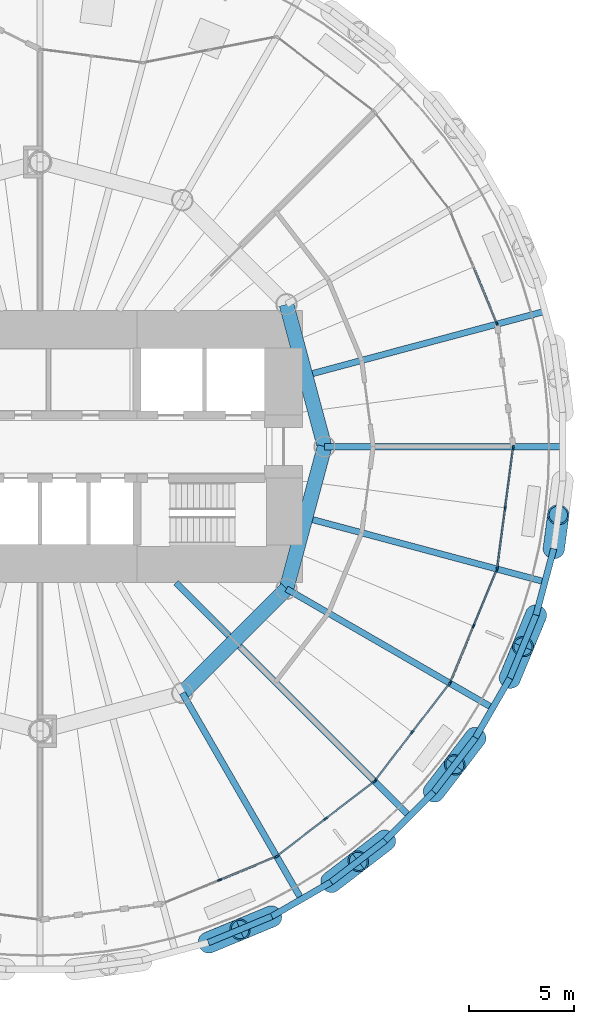
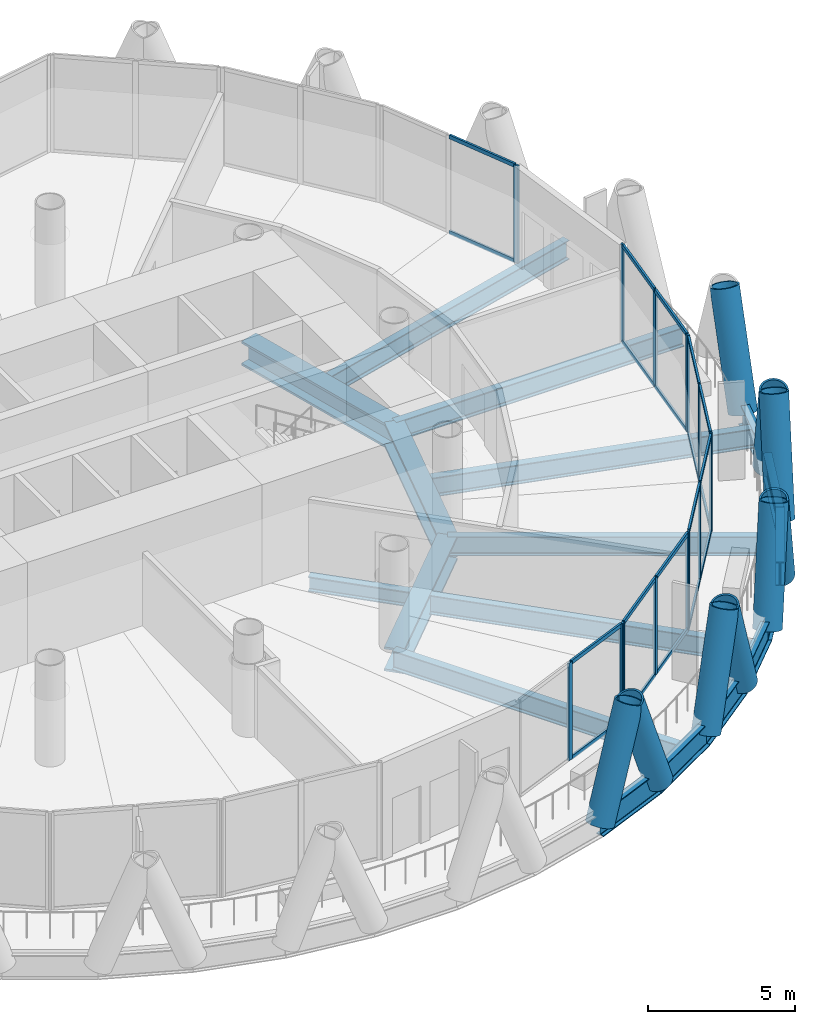
# One storey, part 4 of 15: 44 members, 18 beams, 6 elements without a shape of their own.
"""IFC4 building model written with IfcOpenShell, lengths in metres."""

import ifcopenshell
import ifcopenshell.guid

model = None  # the IFC model being written
_history = None  # IfcOwnerHistory: only IFC2X3 demands one
_inside = {}  # id of a spatial element -> (the spatial element, [elements in it])
_under = {}  # id of a project, library or spatial element -> (it, [spatial elements below it])
_declared = {}  # id of a project -> (the project, [libraries it declares])
_typed = {}  # id of a type object -> (the type object, [elements of that type])
_made_of = {}  # id of a material, layer set ... -> (it, [elements and type objects made of it])


def new_model(schema):
    """Start an empty IFC model of exactly this schema.

    Asked for "IFC4X3", IfcOpenShell would pick the latest addendum, in which some entities
    have other attributes; the version numbers below select the first issue.
    IFC2X3 requires an IfcOwnerHistory on every rooted entity: one is made here for all.
    """
    global model, _history
    if schema == "IFC4X3":
        model = ifcopenshell.file(schema_version=(4, 3, 0, 0))
    else:
        model = ifcopenshell.file(schema=schema)
    _inside.clear()
    _under.clear()
    _declared.clear()
    _typed.clear()
    _made_of.clear()
    _history = None
    if model.schema == "IFC2X3":
        org = make("IfcOrganization", Name="unknown")
        user = make(
            "IfcPersonAndOrganization",
            ThePerson=make("IfcPerson", FamilyName="unknown"),
            TheOrganization=org,
        )
        app = make(
            "IfcApplication",
            ApplicationDeveloper=org,
            Version="unknown",
            ApplicationFullName="unknown",
            ApplicationIdentifier="unknown",
        )
        _history = make(
            "IfcOwnerHistory",
            OwningUser=user,
            OwningApplication=app,
            ChangeAction="ADDED",
            CreationDate=0,
        )
    return model


def make(cls, **values):
    """One entity of the class cls with the attributes given. An attribute that is None is left unset."""
    return model.create_entity(
        cls, **{name: value for name, value in values.items() if value is not None}
    )


def rooted(cls, **values):
    """An entity with a GlobalId (a new one), such as an element, a storey or a relation."""
    return make(cls, GlobalId=ifcopenshell.guid.new(), OwnerHistory=_history, **values)


def si_unit(unit_type, name, prefix=None):
    """IfcSIUnit, for example si_unit("LENGTHUNIT", "METRE", prefix="MILLI")."""
    return make("IfcSIUnit", UnitType=unit_type, Prefix=prefix, Name=name)


def assignment(units):
    """IfcUnitAssignment: the units of a project."""
    return None if units is None else make("IfcUnitAssignment", Units=units)


def point(xyz):
    """IfcCartesianPoint."""
    return None if xyz is None else make("IfcCartesianPoint", Coordinates=xyz)


def direction(xyz):
    """IfcDirection."""
    return None if xyz is None else make("IfcDirection", DirectionRatios=xyz)


def frame(location, z_axis=None, x_axis=None):
    """IfcAxis2Placement3D, a coordinate frame: its origin and axes. An axis left out is left unset."""
    return make(
        "IfcAxis2Placement3D",
        Location=point(location),
        Axis=direction(z_axis),
        RefDirection=direction(x_axis),
    )


def frame_2d(location, x_axis=None):
    """IfcAxis2Placement2D, a coordinate frame in the plane: its origin and x axis."""
    return make(
        "IfcAxis2Placement2D", Location=point(location), RefDirection=direction(x_axis)
    )


def origin():
    """The frame at (0, 0, 0) with its axes left unset."""
    return frame((0.0, 0.0, 0.0))


def origin_2d():
    """The frame at (0, 0) in the plane with its x axis left unset."""
    return frame_2d((0.0, 0.0))


def place(relative_to, where):
    """IfcLocalPlacement: puts the frame where relative to a parent placement (None: the world)."""
    return make(
        "IfcLocalPlacement", PlacementRelTo=relative_to, RelativePlacement=where
    )


def context(
    kind, dimensions, precision=None, world=None, true_north=None, identifier=None
):
    """IfcGeometricRepresentationContext, for example the 3D "Model" context."""
    return make(
        "IfcGeometricRepresentationContext",
        ContextIdentifier=identifier,
        ContextType=kind,
        CoordinateSpaceDimension=dimensions,
        Precision=precision,
        WorldCoordinateSystem=world,
        TrueNorth=true_north,
    )


def subcontext(parent, identifier, kind, view, scale=None):
    """IfcGeometricRepresentationSubContext, for example "Body" below "Model"."""
    return make(
        "IfcGeometricRepresentationSubContext",
        ContextIdentifier=identifier,
        ContextType=kind,
        ParentContext=parent,
        TargetScale=scale,
        TargetView=view,
    )


def project(units=None, contexts=None):
    """IfcProject with its units and contexts."""
    return rooted(
        "IfcProject",
        Name="project",
        RepresentationContexts=contexts,
        UnitsInContext=assignment(units),
    )


def spatial(cls, under=None, at=None, **own):
    """A site, building, storey or space (cls), placed at a placement, below another one or the project."""
    s = rooted(cls, ObjectPlacement=at, **own)
    if under is not None:
        _under.setdefault(under.id(), (under, []))[1].append(s)
    return s


def profile(cls, at=None, kind="AREA", **sizes):
    """A parametric profile (cls). Its sizes go by their IFC names, for example OverallWidth=200.0."""
    return make(cls, ProfileType=kind, Position=at, **sizes)


def rectangle(**sizes):
    """IfcRectangleProfileDef."""
    return profile("IfcRectangleProfileDef", **sizes)


def hollow_circle(**sizes):
    """IfcCircleHollowProfileDef."""
    return profile("IfcCircleHollowProfileDef", **sizes)


def i_section(**sizes):
    """IfcIShapeProfileDef."""
    return profile("IfcIShapeProfileDef", **sizes)


def extrude(swept, where, along, depth):
    """IfcExtrudedAreaSolid: the profile swept, set in the frame where, extruded along a direction by depth."""
    return make(
        "IfcExtrudedAreaSolid",
        SweptArea=swept,
        Position=where,
        ExtrudedDirection=direction(along),
        Depth=depth,
    )


def shape(context_of_items, identifier, shape_type, items):
    """IfcShapeRepresentation: the items that make up one representation, for example the "Body"."""
    return make(
        "IfcShapeRepresentation",
        ContextOfItems=context_of_items,
        RepresentationIdentifier=identifier,
        RepresentationType=shape_type,
        Items=items,
    )


def material(Name=None, Category=None):
    """IfcMaterial."""
    return make("IfcMaterial", Name=Name, Category=Category)


def material_profile(
    of_material, cross_section, Name=None, Category=None, Priority=None
):
    """IfcMaterialProfile: a cross section and its material."""
    return make(
        "IfcMaterialProfile",
        Name=Name,
        Material=of_material,
        Profile=cross_section,
        Priority=Priority,
        Category=Category,
    )


def profile_set(profiles, Name=None, composite=None):
    """IfcMaterialProfileSet."""
    return make(
        "IfcMaterialProfileSet",
        Name=Name,
        MaterialProfiles=profiles,
        CompositeProfile=composite,
    )


def made_of(thing, what):
    """Note that an element or type object is made of a material, layer set ...; save() writes the relation."""
    if what is not None:
        _made_of.setdefault(what.id(), (what, []))[1].append(thing)
    return thing


def type_object(cls, material=None, **own):
    """A type object (cls), such as IfcWallType, which elements share."""
    return made_of(rooted(cls, **own), material)


def element(
    cls,
    number,
    at=None,
    inside=None,
    cuts=None,
    type_object=None,
    material=None,
    context=None,
    identifier="Body",
    shape_type=None,
    held_by="IfcProductDefinitionShape",
    body=None,
    shapes=None,
    **own,
):
    """One element of the class cls, such as IfcWall. Its Tag is "e" and its number.

    at: its placement. inside: the storey or other place that contains it. cuts: it is an
    opening in that element (IfcRelVoidsElement). A single representation is given by context,
    identifier, shape_type and body (its items); several are given by shapes. held_by: the class
    of the entity that holds the representations. save() writes the other relations.
    """
    e = rooted(cls, Tag="e%d" % number, ObjectPlacement=at, **own)
    if body is not None:
        shapes = [shape(context, identifier, shape_type, body)]
    if shapes is not None:
        e.Representation = make(held_by, Representations=shapes)
    if inside is not None:
        _inside.setdefault(inside.id(), (inside, []))[1].append(e)
    if cuts is not None:
        rooted(
            "IfcRelVoidsElement", RelatingBuildingElement=cuts, RelatedOpeningElement=e
        )
    if type_object is not None:
        _typed.setdefault(type_object.id(), (type_object, []))[1].append(e)
    return made_of(e, material)


def aggregate(whole, parts):
    """IfcRelAggregates: a whole, such as a stair, and the parts it consists of."""
    return rooted("IfcRelAggregates", RelatingObject=whole, RelatedObjects=parts)


def save(model, path):
    """Write the relations noted so far, then the file.

    IfcRelAggregates (storeys below a building ...), IfcRelContainedInSpatialStructure (elements
    in a storey), IfcRelDefinesByType, IfcRelAssociatesMaterial and IfcRelDeclares: one each for
    every whole, place, type object, material and project.
    """
    for whole, parts in _under.values():
        aggregate(whole, parts)
    for where, things in _inside.values():
        rooted(
            "IfcRelContainedInSpatialStructure",
            RelatedElements=things,
            RelatingStructure=where,
        )
    for kind, things in _typed.values():
        rooted("IfcRelDefinesByType", RelatedObjects=things, RelatingType=kind)
    for what, things in _made_of.values():
        rooted("IfcRelAssociatesMaterial", RelatedObjects=things, RelatingMaterial=what)
    for by, libraries in _declared.values():
        rooted("IfcRelDeclares", RelatingContext=by, RelatedDefinitions=libraries)
    model.write(path)


model = new_model("IFC4")

# Units and contexts
model_context = context("Model", 3, precision=1e-05, world=origin(), true_north=direction((0.0, 1.0)))
body_context = subcontext(model_context, "Body", "Model", "MODEL_VIEW")
ifc_project = project(units=[si_unit("LENGTHUNIT", "METRE"), si_unit("AREAUNIT", "SQUARE_METRE"), si_unit("VOLUMEUNIT", "CUBIC_METRE"), si_unit("PLANEANGLEUNIT", "RADIAN"), si_unit("MASSUNIT", "GRAM", prefix="KILO")], contexts=[model_context])

# Site, building, storey
site_placement = place(None, origin())
site = spatial("IfcSite", under=ifc_project, at=site_placement, CompositionType="ELEMENT")
building_placement = place(site_placement, origin())
building = spatial("IfcBuilding", under=site, at=building_placement, Name="Qaws Media Tower", CompositionType="ELEMENT")
storey_placement = place(building_placement, frame((0.0, 0.0, 147.800048828125)))
storey = spatial("IfcBuildingStorey", under=building, at=storey_placement, Name="L33", CompositionType="ELEMENT", Elevation=147.800048828125)

# Curtain wall, member
ifc_material_1 = material(Name="Aluminium and clear glass", Category="aluminium")
curtain_wall_type = type_object("IfcCurtainWallType", Name="Unitised curtain wall CW-B", PredefinedType="NOTDEFINED", material=ifc_material_1)
curtain_wall_1_placement = place(storey_placement, origin())
curtain_wall_1 = element("IfcCurtainWall", 1, at=curtain_wall_1_placement, inside=storey, type_object=curtain_wall_type, Name="CWB curtain wall L33-02", PredefinedType="NOTDEFINED")
ifc_material_2 = material(Name="Aluminium mullion", Category="aluminium")
ifc_material_profile_1 = material_profile(ifc_material_2, rectangle(XDim=0.080078125, YDim=0.199951171875, at=origin_2d()), Name="80x200")
ifc_profile_set_1 = profile_set([ifc_material_profile_1], Name="Aluminium mullion")
member_type_1 = type_object("IfcMemberType", Name="Curtain wall mullion 80x200", PredefinedType="MULLION", material=ifc_profile_set_1)
member_1_placement = place(storey_placement, frame((81.669677734375, 55.847412109375, 0.0), z_axis=(0.0, 0.0, 1.0), x_axis=(-0.923879490527, -0.382683533725, 0.0)))
member_1 = element("IfcMember", 2, at=member_1_placement, type_object=member_type_1, Name="CWB mullion 1", PredefinedType="MULLION", context=body_context, shape_type="SweptSolid", body=[
    extrude(rectangle(XDim=0.080078125, YDim=0.199951171875, at=origin_2d()), origin(), (0.0, 0.0, 1.0), 4.0400390625),
])

# Curtain wall, members
curtain_wall_2_placement = place(storey_placement, origin())
curtain_wall_2 = element("IfcCurtainWall", 3, at=curtain_wall_2_placement, inside=storey, type_object=curtain_wall_type, Name="CWB curtain wall L33-20", PredefinedType="NOTDEFINED")
member_2_placement = place(storey_placement, frame((68.517822265625, 29.436279296875, 0.0), z_axis=(0.0, 0.0, 1.0), x_axis=(-0.382683533725, 0.923879490527, 0.0)))
member_2 = element("IfcMember", 4, at=member_2_placement, type_object=member_type_1, Name="CWB mullion 2", PredefinedType="MULLION", context=body_context, shape_type="SweptSolid", body=[
    extrude(rectangle(XDim=0.080078125, YDim=0.199951171875, at=origin_2d()), origin(), (0.0, 0.0, 1.0), 4.0400390625),
])
member_3_placement = place(storey_placement, frame((71.18798828125, 30.54248046875, 0.0), z_axis=(0.0, 0.0, 1.0), x_axis=(-0.382683533725, 0.923879490527, 0.0)))
member_3 = element("IfcMember", 5, at=member_3_placement, type_object=member_type_1, Name="CWB mullion 3", PredefinedType="MULLION", context=body_context, shape_type="SweptSolid", body=[
    extrude(rectangle(XDim=0.080078125, YDim=0.199951171875, at=origin_2d()), origin(), (0.0, 0.0, 1.0), 4.0400390625),
])

curtain_wall_3_placement = place(storey_placement, origin())
curtain_wall_3 = element("IfcCurtainWall", 6, at=curtain_wall_3_placement, inside=storey, type_object=curtain_wall_type, Name="CWB curtain wall L33-21", PredefinedType="NOTDEFINED")
member_4_placement = place(storey_placement, frame((71.2568359375, 30.58203125, 0.0), z_axis=(0.0, 0.0, 1.0), x_axis=(-0.608761440294, 0.793353331632, 0.0)))
member_4 = element("IfcMember", 7, at=member_4_placement, type_object=member_type_1, Name="CWB mullion 1", PredefinedType="MULLION", context=body_context, shape_type="SweptSolid", body=[
    extrude(rectangle(XDim=0.080078125, YDim=0.199951171875, at=origin_2d()), origin(), (0.0, 0.0, 1.0), 4.0400390625),
])
member_5_placement = place(storey_placement, frame((73.5498046875, 32.341552734375, 0.0), z_axis=(0.0, 0.0, 1.0), x_axis=(-0.608761440294, 0.793353331632, 0.0)))
member_5 = element("IfcMember", 8, at=member_5_placement, type_object=member_type_1, Name="CWB mullion 2", PredefinedType="MULLION", context=body_context, shape_type="SweptSolid", body=[
    extrude(rectangle(XDim=0.080078125, YDim=0.199951171875, at=origin_2d()), origin(), (0.0, 0.0, 1.0), 4.0400390625),
])
member_6_placement = place(storey_placement, frame((75.8427734375, 34.10107421875, 0.0), z_axis=(0.0, 0.0, 1.0), x_axis=(-0.608761440294, 0.793353331632, 0.0)))
member_6 = element("IfcMember", 9, at=member_6_placement, type_object=member_type_1, Name="CWB mullion 3", PredefinedType="MULLION", context=body_context, shape_type="SweptSolid", body=[
    extrude(rectangle(XDim=0.080078125, YDim=0.199951171875, at=origin_2d()), origin(), (0.0, 0.0, 1.0), 4.0400390625),
])

curtain_wall_4_placement = place(storey_placement, origin())
curtain_wall_4 = element("IfcCurtainWall", 10, at=curtain_wall_4_placement, inside=storey, type_object=curtain_wall_type, Name="CWB curtain wall L33-22", PredefinedType="NOTDEFINED")
member_7_placement = place(storey_placement, frame((75.89892578125, 34.1572265625, 0.0), z_axis=(0.0, 0.0, 1.0), x_axis=(-0.793353331632, 0.608761440294, 0.0)))
member_7 = element("IfcMember", 11, at=member_7_placement, type_object=member_type_1, Name="CWB mullion 1", PredefinedType="MULLION", context=body_context, shape_type="SweptSolid", body=[
    extrude(rectangle(XDim=0.080078125, YDim=0.199951171875, at=origin_2d()), origin(), (0.0, 0.0, 1.0), 4.0400390625),
])
member_8_placement = place(storey_placement, frame((77.658447265625, 36.4501953125, 0.0), z_axis=(0.0, 0.0, 1.0), x_axis=(-0.793353331632, 0.608761440294, 0.0)))
member_8 = element("IfcMember", 12, at=member_8_placement, type_object=member_type_1, Name="CWB mullion 2", PredefinedType="MULLION", context=body_context, shape_type="SweptSolid", body=[
    extrude(rectangle(XDim=0.080078125, YDim=0.199951171875, at=origin_2d()), origin(), (0.0, 0.0, 1.0), 4.0400390625),
])
member_9_placement = place(storey_placement, frame((79.41796875, 38.7431640625, 0.0), z_axis=(0.0, 0.0, 1.0), x_axis=(-0.793353331632, 0.608761440294, 0.0)))
member_9 = element("IfcMember", 13, at=member_9_placement, type_object=member_type_1, Name="CWB mullion 3", PredefinedType="MULLION", context=body_context, shape_type="SweptSolid", body=[
    extrude(rectangle(XDim=0.080078125, YDim=0.199951171875, at=origin_2d()), origin(), (0.0, 0.0, 1.0), 4.0400390625),
])

curtain_wall_5_placement = place(storey_placement, origin())
curtain_wall_5 = element("IfcCurtainWall", 14, at=curtain_wall_5_placement, inside=storey, type_object=curtain_wall_type, Name="CWB curtain wall L33-23", PredefinedType="NOTDEFINED")
member_10_placement = place(storey_placement, frame((79.45751953125, 38.81201171875, 0.0), z_axis=(0.0, 0.0, 1.0), x_axis=(-0.923879490527, 0.382683533725, 0.0)))
member_10 = element("IfcMember", 15, at=member_10_placement, type_object=member_type_1, Name="CWB mullion 1", PredefinedType="MULLION", context=body_context, shape_type="SweptSolid", body=[
    extrude(rectangle(XDim=0.080078125, YDim=0.199951171875, at=origin_2d()), origin(), (0.0, 0.0, 1.0), 4.0400390625),
])
member_11_placement = place(storey_placement, frame((80.563720703125, 41.482177734375, 0.0), z_axis=(0.0, 0.0, 1.0), x_axis=(-0.923879490527, 0.382683533725, 0.0)))
member_11 = element("IfcMember", 16, at=member_11_placement, type_object=member_type_1, Name="CWB mullion 2", PredefinedType="MULLION", context=body_context, shape_type="SweptSolid", body=[
    extrude(rectangle(XDim=0.080078125, YDim=0.199951171875, at=origin_2d()), origin(), (0.0, 0.0, 1.0), 4.0400390625),
])
member_12_placement = place(storey_placement, frame((81.669677734375, 44.152587890625, 0.0), z_axis=(0.0, 0.0, 1.0), x_axis=(-0.923879490527, 0.382683533725, 0.0)))
member_12 = element("IfcMember", 17, at=member_12_placement, type_object=member_type_1, Name="CWB mullion 3", PredefinedType="MULLION", context=body_context, shape_type="SweptSolid", body=[
    extrude(rectangle(XDim=0.080078125, YDim=0.199951171875, at=origin_2d()), origin(), (0.0, 0.0, 1.0), 4.0400390625),
])

curtain_wall_6_placement = place(storey_placement, origin())
curtain_wall_6 = element("IfcCurtainWall", 18, at=curtain_wall_6_placement, inside=storey, type_object=curtain_wall_type, Name="CWB curtain wall L33-24", PredefinedType="NOTDEFINED")
member_13_placement = place(storey_placement, frame((81.690185546875, 44.229248046875, 0.0), z_axis=(0.0, 0.0, 1.0), x_axis=(-0.991444867058, 0.130526149047, 0.0)))
member_13 = element("IfcMember", 19, at=member_13_placement, type_object=member_type_1, Name="CWB mullion 1", PredefinedType="MULLION", context=body_context, shape_type="SweptSolid", body=[
    extrude(rectangle(XDim=0.080078125, YDim=0.199951171875, at=origin_2d()), origin(), (0.0, 0.0, 1.0), 4.0400390625),
])
member_14_placement = place(storey_placement, frame((82.067626953125, 47.0947265625, 0.0), z_axis=(0.0, 0.0, 1.0), x_axis=(-0.991444867058, 0.130526149047, 0.0)))
member_14 = element("IfcMember", 20, at=member_14_placement, type_object=member_type_1, Name="CWB mullion 2", PredefinedType="MULLION", context=body_context, shape_type="SweptSolid", body=[
    extrude(rectangle(XDim=0.080078125, YDim=0.199951171875, at=origin_2d()), origin(), (0.0, 0.0, 1.0), 4.0400390625),
])
member_15_placement = place(storey_placement, frame((82.44482421875, 49.96044921875, 0.0), z_axis=(0.0, 0.0, 1.0), x_axis=(-0.991444867058, 0.130526149047, 0.0)))
member_15 = element("IfcMember", 21, at=member_15_placement, type_object=member_type_1, Name="CWB mullion 3", PredefinedType="MULLION", context=body_context, shape_type="SweptSolid", body=[
    extrude(rectangle(XDim=0.080078125, YDim=0.199951171875, at=origin_2d()), origin(), (0.0, 0.0, 1.0), 4.0400390625),
])

# Member
ifc_material_3 = material(Name="Aluminium transom", Category="aluminium")
ifc_material_profile_2 = material_profile(ifc_material_3, rectangle(XDim=0.080078125, YDim=0.159912109375, at=origin_2d()), Name="80x160")
ifc_profile_set_2 = profile_set([ifc_material_profile_2], Name="Aluminium transom")
member_type_2 = type_object("IfcMemberType", Name="Curtain wall transom 80x160", PredefinedType="USERDEFINED", material=ifc_profile_set_2)
member_16_placement = place(storey_placement, frame((81.654541015625, 55.88427734375, 0.0400390625), z_axis=(-0.382745623752, 0.923853769543, 0.0), x_axis=(-0.923853769543, -0.382745623752, 0.0)))
member_16 = element("IfcMember", 22, at=member_16_placement, type_object=member_type_2, Name="CWB transom 1.1", ObjectType="TRANSOM", PredefinedType="USERDEFINED", context=body_context, shape_type="SweptSolid", body=[
    extrude(rectangle(XDim=0.080078125, YDim=0.159912109375, at=origin_2d()), origin(), (0.0, 0.0, 1.0), 2.810546875),
])

member_17_placement = place(storey_placement, frame((81.654541015625, 55.88427734375, 4.0), z_axis=(-0.382745623752, 0.923853769543, 0.0), x_axis=(-0.923853769543, -0.382745623752, 0.0)))
member_17 = element("IfcMember", 23, at=member_17_placement, type_object=member_type_2, Name="CWB transom 1.2", ObjectType="TRANSOM", PredefinedType="USERDEFINED", context=body_context, shape_type="SweptSolid", body=[
    extrude(rectangle(XDim=0.080078125, YDim=0.159912109375, at=origin_2d()), origin(), (0.0, 0.0, 1.0), 2.810546875),
])

aggregate(curtain_wall_1, [member_1, member_16, member_17])

member_18_placement = place(storey_placement, frame((68.5546875, 29.45166015625, 0.0400390625), z_axis=(0.923884484618, 0.382671476703, 0.0), x_axis=(-0.382671476703, 0.923884484618, 0.0)))
member_18 = element("IfcMember", 24, at=member_18_placement, type_object=member_type_2, Name="CWB transom 2.1", ObjectType="TRANSOM", PredefinedType="USERDEFINED", context=body_context, shape_type="SweptSolid", body=[
    extrude(rectangle(XDim=0.080078125, YDim=0.159912109375, at=origin_2d()), origin(), (0.0, 0.0, 1.0), 2.810302734375),
])

member_19_placement = place(storey_placement, frame((68.5546875, 29.45166015625, 4.0), z_axis=(0.923884484618, 0.382671476703, 0.0), x_axis=(-0.382671476703, 0.923884484618, 0.0)))
member_19 = element("IfcMember", 25, at=member_19_placement, type_object=member_type_2, Name="CWB transom 2.2", ObjectType="TRANSOM", PredefinedType="USERDEFINED", context=body_context, shape_type="SweptSolid", body=[
    extrude(rectangle(XDim=0.080078125, YDim=0.159912109375, at=origin_2d()), origin(), (0.0, 0.0, 1.0), 2.810302734375),
])

aggregate(curtain_wall_2, [member_2, member_3, member_18, member_19])

member_20_placement = place(storey_placement, frame((71.28857421875, 30.6064453125, 0.0400390625), z_axis=(0.793362992919, 0.608748849253, 0.0), x_axis=(-0.608748849253, 0.793362992919, 0.0)))
member_20 = element("IfcMember", 26, at=member_20_placement, type_object=member_type_2, Name="CWB transom 1.1", ObjectType="TRANSOM", PredefinedType="USERDEFINED", context=body_context, shape_type="SweptSolid", body=[
    extrude(rectangle(XDim=0.080078125, YDim=0.159912109375, at=origin_2d()), origin(), (0.0, 0.0, 1.0), 2.81005859375),
])

member_21_placement = place(storey_placement, frame((71.28857421875, 30.6064453125, 4.0), z_axis=(0.793362992919, 0.608748849253, 0.0), x_axis=(-0.608748849253, 0.793362992919, 0.0)))
member_21 = element("IfcMember", 27, at=member_21_placement, type_object=member_type_2, Name="CWB transom 1.2", ObjectType="TRANSOM", PredefinedType="USERDEFINED", context=body_context, shape_type="SweptSolid", body=[
    extrude(rectangle(XDim=0.080078125, YDim=0.159912109375, at=origin_2d()), origin(), (0.0, 0.0, 1.0), 2.81005859375),
])

member_22_placement = place(storey_placement, frame((73.58154296875, 32.365966796875, 0.0400390625), z_axis=(0.793362992919, 0.608748849253, 0.0), x_axis=(-0.608748849253, 0.793362992919, 0.0)))
member_22 = element("IfcMember", 28, at=member_22_placement, type_object=member_type_2, Name="CWB transom 2.1", ObjectType="TRANSOM", PredefinedType="USERDEFINED", context=body_context, shape_type="SweptSolid", body=[
    extrude(rectangle(XDim=0.080078125, YDim=0.159912109375, at=origin_2d()), origin(), (0.0, 0.0, 1.0), 2.81005859375),
])

member_23_placement = place(storey_placement, frame((73.58154296875, 32.365966796875, 4.0), z_axis=(0.793362992919, 0.608748849253, 0.0), x_axis=(-0.608748849253, 0.793362992919, 0.0)))
member_23 = element("IfcMember", 29, at=member_23_placement, type_object=member_type_2, Name="CWB transom 2.2", ObjectType="TRANSOM", PredefinedType="USERDEFINED", context=body_context, shape_type="SweptSolid", body=[
    extrude(rectangle(XDim=0.080078125, YDim=0.159912109375, at=origin_2d()), origin(), (0.0, 0.0, 1.0), 2.81005859375),
])

aggregate(curtain_wall_3, [member_4, member_5, member_6, member_20, member_21, member_22, member_23])

member_24_placement = place(storey_placement, frame((75.92333984375, 34.18896484375, 0.0400390625), z_axis=(0.608748849253, 0.793362992919, 0.0), x_axis=(-0.793362992919, 0.608748849253, 0.0)))
member_24 = element("IfcMember", 30, at=member_24_placement, type_object=member_type_2, Name="CWB transom 1.1", ObjectType="TRANSOM", PredefinedType="USERDEFINED", context=body_context, shape_type="SweptSolid", body=[
    extrude(rectangle(XDim=0.080078125, YDim=0.159912109375, at=origin_2d()), origin(), (0.0, 0.0, 1.0), 2.81005859375),
])

member_25_placement = place(storey_placement, frame((75.92333984375, 34.18896484375, 4.0), z_axis=(0.608748849253, 0.793362992919, 0.0), x_axis=(-0.793362992919, 0.608748849253, 0.0)))
member_25 = element("IfcMember", 31, at=member_25_placement, type_object=member_type_2, Name="CWB transom 1.2", ObjectType="TRANSOM", PredefinedType="USERDEFINED", context=body_context, shape_type="SweptSolid", body=[
    extrude(rectangle(XDim=0.080078125, YDim=0.159912109375, at=origin_2d()), origin(), (0.0, 0.0, 1.0), 2.81005859375),
])

member_26_placement = place(storey_placement, frame((77.682861328125, 36.48193359375, 0.0400390625), z_axis=(0.608748849253, 0.793362992919, 0.0), x_axis=(-0.793362992919, 0.608748849253, 0.0)))
member_26 = element("IfcMember", 32, at=member_26_placement, type_object=member_type_2, Name="CWB transom 2.1", ObjectType="TRANSOM", PredefinedType="USERDEFINED", context=body_context, shape_type="SweptSolid", body=[
    extrude(rectangle(XDim=0.080078125, YDim=0.159912109375, at=origin_2d()), origin(), (0.0, 0.0, 1.0), 2.81005859375),
])

member_27_placement = place(storey_placement, frame((77.682861328125, 36.48193359375, 4.0), z_axis=(0.608748849253, 0.793362992919, 0.0), x_axis=(-0.793362992919, 0.608748849253, 0.0)))
member_27 = element("IfcMember", 33, at=member_27_placement, type_object=member_type_2, Name="CWB transom 2.2", ObjectType="TRANSOM", PredefinedType="USERDEFINED", context=body_context, shape_type="SweptSolid", body=[
    extrude(rectangle(XDim=0.080078125, YDim=0.159912109375, at=origin_2d()), origin(), (0.0, 0.0, 1.0), 2.81005859375),
])

aggregate(curtain_wall_4, [member_7, member_8, member_9, member_24, member_25, member_26, member_27])

member_28_placement = place(storey_placement, frame((79.472900390625, 38.848876953125, 0.0400390625), z_axis=(0.382671476703, 0.923884484618, 0.0), x_axis=(-0.923884484618, 0.382671476703, 0.0)))
member_28 = element("IfcMember", 34, at=member_28_placement, type_object=member_type_2, Name="CWB transom 1.1", ObjectType="TRANSOM", PredefinedType="USERDEFINED", context=body_context, shape_type="SweptSolid", body=[
    extrude(rectangle(XDim=0.080078125, YDim=0.159912109375, at=origin_2d()), origin(), (0.0, 0.0, 1.0), 2.810302734375),
])

member_29_placement = place(storey_placement, frame((79.472900390625, 38.848876953125, 4.0), z_axis=(0.382671476703, 0.923884484618, 0.0), x_axis=(-0.923884484618, 0.382671476703, 0.0)))
member_29 = element("IfcMember", 35, at=member_29_placement, type_object=member_type_2, Name="CWB transom 1.2", ObjectType="TRANSOM", PredefinedType="USERDEFINED", context=body_context, shape_type="SweptSolid", body=[
    extrude(rectangle(XDim=0.080078125, YDim=0.159912109375, at=origin_2d()), origin(), (0.0, 0.0, 1.0), 2.810302734375),
])

member_30_placement = place(storey_placement, frame((80.578857421875, 41.519287109375, 0.0400390625), z_axis=(0.382745623752, 0.923853769543, 0.0), x_axis=(-0.923853769543, 0.382745623752, 0.0)))
member_30 = element("IfcMember", 36, at=member_30_placement, type_object=member_type_2, Name="CWB transom 2.1", ObjectType="TRANSOM", PredefinedType="USERDEFINED", context=body_context, shape_type="SweptSolid", body=[
    extrude(rectangle(XDim=0.080078125, YDim=0.159912109375, at=origin_2d()), origin(), (0.0, 0.0, 1.0), 2.810546875),
])

member_31_placement = place(storey_placement, frame((80.578857421875, 41.519287109375, 4.0), z_axis=(0.382745623752, 0.923853769543, 0.0), x_axis=(-0.923853769543, 0.382745623752, 0.0)))
member_31 = element("IfcMember", 37, at=member_31_placement, type_object=member_type_2, Name="CWB transom 2.2", ObjectType="TRANSOM", PredefinedType="USERDEFINED", context=body_context, shape_type="SweptSolid", body=[
    extrude(rectangle(XDim=0.080078125, YDim=0.159912109375, at=origin_2d()), origin(), (0.0, 0.0, 1.0), 2.810546875),
])

aggregate(curtain_wall_5, [member_10, member_11, member_12, member_28, member_29, member_30, member_31])

member_32_placement = place(storey_placement, frame((81.695556640625, 44.268798828125, 0.0400390625), z_axis=(0.130479231249, 0.991451042772, 0.0), x_axis=(-0.991451042772, 0.130479231249, 0.0)))
member_32 = element("IfcMember", 38, at=member_32_placement, type_object=member_type_2, Name="CWB transom 1.1", ObjectType="TRANSOM", PredefinedType="USERDEFINED", context=body_context, shape_type="SweptSolid", body=[
    extrude(rectangle(XDim=0.080078125, YDim=0.159912109375, at=origin_2d()), origin(), (0.0, 0.0, 1.0), 2.810302734375),
])

member_33_placement = place(storey_placement, frame((81.695556640625, 44.268798828125, 4.0), z_axis=(0.130479231249, 0.991451042772, 0.0), x_axis=(-0.991451042772, 0.130479231249, 0.0)))
member_33 = element("IfcMember", 39, at=member_33_placement, type_object=member_type_2, Name="CWB transom 1.2", ObjectType="TRANSOM", PredefinedType="USERDEFINED", context=body_context, shape_type="SweptSolid", body=[
    extrude(rectangle(XDim=0.080078125, YDim=0.159912109375, at=origin_2d()), origin(), (0.0, 0.0, 1.0), 2.810302734375),
])

member_34_placement = place(storey_placement, frame((82.07275390625, 47.134521484375, 0.0400390625), z_axis=(0.130490470081, 0.991449563628, 0.0), x_axis=(-0.991449563628, 0.130490470081, 0.0)))
member_34 = element("IfcMember", 40, at=member_34_placement, type_object=member_type_2, Name="CWB transom 2.1", ObjectType="TRANSOM", PredefinedType="USERDEFINED", context=body_context, shape_type="SweptSolid", body=[
    extrude(rectangle(XDim=0.080078125, YDim=0.159912109375, at=origin_2d()), origin(), (0.0, 0.0, 1.0), 2.81005859375),
])

member_35_placement = place(storey_placement, frame((82.07275390625, 47.134521484375, 4.0), z_axis=(0.130490470081, 0.991449563628, 0.0), x_axis=(-0.991449563628, 0.130490470081, 0.0)))
member_35 = element("IfcMember", 41, at=member_35_placement, type_object=member_type_2, Name="CWB transom 2.2", ObjectType="TRANSOM", PredefinedType="USERDEFINED", context=body_context, shape_type="SweptSolid", body=[
    extrude(rectangle(XDim=0.080078125, YDim=0.159912109375, at=origin_2d()), origin(), (0.0, 0.0, 1.0), 2.81005859375),
])

aggregate(curtain_wall_6, [member_13, member_14, member_15, member_32, member_33, member_34, member_35])

# Members
ifc_material_4 = material(Name="Steel S460", Category="steel")
ifc_material_profile_3 = material_profile(ifc_material_4, hollow_circle(Radius=0.508056640625, WallThickness=0.070068359375, at=origin_2d()), Name="CHS 1016x70")
ifc_profile_set_3 = profile_set([ifc_material_profile_3], Name="Steel S460")
member_type_3 = type_object("IfcMemberType", Name="Diagrid member CHS 1016x70", PredefinedType="USERDEFINED", material=ifc_profile_set_3)
for number, where, z_axis, x_axis, name in (
    (42, (67.98779296875, 26.46875, -0.6640625), (0.33367490582, 0.137481650879, 0.932609164065), (-0.38095379076, 0.924594078126, 0.0), "DG3 diagrid L33 A20"),
    (43, (73.805908203125, 29.337890625, -0.6640625), (0.286725601393, 0.219177842018, 0.932603615195), (-0.60730513351, 0.794468674532, 0.0), "DG3 diagrid L33 A21"),
    (44, (70.990966796875, 27.712646484375, -0.6640625), (-0.333183827093, -0.138727206888, 0.932600289209), (0.384380728682, -0.923174661382, 0.0), "DG3 diagrid L33 B21"),
    (45, (78.68310546875, 33.615234375, -0.6640625), (0.220260886257, 0.285910882136, 0.932598578951), (-0.792182658337, 0.61028406159, 0.0), "DG3 diagrid L33 A22"),
    (46, (76.384765625, 31.31689453125, -0.6640625), (-0.285910882136, -0.220260886257, 0.932598578951), (0.61028406159, -0.792182658337, 0.0), "DG3 diagrid L33 B22"),
    (47, (82.287353515625, 39.009033203125, -0.6640625), (0.138727206888, 0.333183827093, 0.932600289209), (-0.923174661382, 0.384380728682, 0.0), "DG3 diagrid L33 A23"),
    (48, (80.662109375, 36.194091796875, -0.6640625), (-0.219177842018, -0.286725601393, 0.932603615195), (0.794468674532, -0.60730513351, 0.0), "DG3 diagrid L33 B23"),
    (49, (84.37255859375, 45.152099609375, -0.6640625), (0.047815257075, 0.357692818797, 0.932614362195), (-0.991183235984, 0.132498274346, 0.0), "DG3 diagrid L33 A24"),
    (50, (83.53125, 42.01220703125, -0.6640625), (-0.137481650879, -0.33367490582, 0.932609164065), (0.924594078126, -0.38095379076, 0.0), "DG3 diagrid L33 B24"),
):
    element("IfcMember", number, at=place(storey_placement, frame(where, z_axis=z_axis, x_axis=x_axis)), inside=storey, type_object=member_type_3, Name=name, ObjectType="DIAGRID", PredefinedType="USERDEFINED", context=body_context, shape_type="SweptSolid", body=[
        extrude(hollow_circle(Radius=0.508056640625, WallThickness=0.070068359375, at=origin_2d()), origin(), (0.0, 0.0, 1.0), 4.50341796875),
    ])

# Beams
ifc_material_5 = material(Name="Steel S460", Category="steel")
ifc_material_profile_4 = material_profile(ifc_material_5, i_section(OverallWidth=0.302001953125, OverallDepth=1.008056640625, WebThickness=0.02099609375, FlangeThickness=0.0400390625, FilletRadius=0.030029296875, at=origin_2d()), Name="HE 1000 M")
ifc_profile_set_4 = profile_set([ifc_material_profile_4], Name="Steel S460")
beam_type_1 = type_object("IfcBeamType", Name="Edge ring beam HE 1000 M", PredefinedType="BEAM", material=ifc_profile_set_4)
for number, where, z_axis, x_axis, name in (
    (51, (67.98779296875, 26.46875, -0.6640625), (0.923885932757, 0.38266798044, 0.0), (-0.38266798044, 0.923885932757, 0.0), "RB3 edge ring beam L33-39"),
    (52, (70.990966796875, 27.712646484375, -0.6640625), (0.866020479782, 0.500008528526, 0.0), (-0.500008528526, 0.866020479782, 0.0), "RB3 edge ring beam L33-40"),
):
    element("IfcBeam", number, at=place(storey_placement, frame(where, z_axis=z_axis, x_axis=x_axis)), inside=storey, type_object=beam_type_1, Name=name, PredefinedType="BEAM", context=body_context, shape_type="SweptSolid", body=[
        extrude(i_section(OverallWidth=0.302001953125, OverallDepth=1.008056640625, WebThickness=0.02099609375, FlangeThickness=0.0400390625, FilletRadius=0.030029296875, at=origin_2d()), origin(), (0.0, 0.0, 1.0), 3.25048828125),
    ])
beam_1_placement = place(storey_placement, frame((73.805908203125, 29.337890625, -0.6640625), z_axis=(0.793327040969, 0.60879570142, 0.0), x_axis=(-0.60879570142, 0.793327040969, 0.0)))
element("IfcBeam", 53, at=beam_1_placement, inside=storey, type_object=beam_type_1, Name="RB3 edge ring beam L33-41", PredefinedType="BEAM", context=body_context, shape_type="SweptSolid", body=[
    extrude(i_section(OverallWidth=0.302001953125, OverallDepth=1.008056640625, WebThickness=0.02099609375, FlangeThickness=0.0400390625, FilletRadius=0.030029296875, at=origin_2d()), origin(), (0.0, 0.0, 1.0), 3.250732421875),
])
beam_2_placement = place(storey_placement, frame((76.384765625, 31.31689453125, -0.6640625), z_axis=(0.707106781187, 0.707106781187, 0.0), x_axis=(-0.707106781187, 0.707106781187, 0.0)))
element("IfcBeam", 54, at=beam_2_placement, inside=storey, type_object=beam_type_1, Name="RB3 edge ring beam L33-42", PredefinedType="BEAM", context=body_context, shape_type="SweptSolid", body=[
    extrude(i_section(OverallWidth=0.302001953125, OverallDepth=1.008056640625, WebThickness=0.02099609375, FlangeThickness=0.0400390625, FilletRadius=0.030029296875, at=origin_2d()), origin(), (0.0, 0.0, 1.0), 3.250244140625),
])
beam_3_placement = place(storey_placement, frame((78.68310546875, 33.615234375, -0.6640625), z_axis=(0.60879570142, 0.793327040969, 0.0), x_axis=(-0.793327040969, 0.60879570142, 0.0)))
element("IfcBeam", 55, at=beam_3_placement, inside=storey, type_object=beam_type_1, Name="RB3 edge ring beam L33-43", PredefinedType="BEAM", context=body_context, shape_type="SweptSolid", body=[
    extrude(i_section(OverallWidth=0.302001953125, OverallDepth=1.008056640625, WebThickness=0.02099609375, FlangeThickness=0.0400390625, FilletRadius=0.030029296875, at=origin_2d()), origin(), (0.0, 0.0, 1.0), 3.250732421875),
])
for number, where, z_axis, x_axis, name in (
    (56, (80.662109375, 36.194091796875, -0.6640625), (0.500008528526, 0.866020479782, 0.0), (-0.866020479782, 0.500008528526, 0.0), "RB3 edge ring beam L33-44"),
    (57, (82.287353515625, 39.009033203125, -0.6640625), (0.38266798044, 0.923885932757, 0.0), (-0.923885932757, 0.38266798044, 0.0), "RB3 edge ring beam L33-45"),
):
    element("IfcBeam", number, at=place(storey_placement, frame(where, z_axis=z_axis, x_axis=x_axis)), inside=storey, type_object=beam_type_1, Name=name, PredefinedType="BEAM", context=body_context, shape_type="SweptSolid", body=[
        extrude(i_section(OverallWidth=0.302001953125, OverallDepth=1.008056640625, WebThickness=0.02099609375, FlangeThickness=0.0400390625, FilletRadius=0.030029296875, at=origin_2d()), origin(), (0.0, 0.0, 1.0), 3.25048828125),
    ])
beam_4_placement = place(storey_placement, frame((83.53125, 42.01220703125, -0.6640625), z_axis=(0.258812418621, 0.965927601825, 0.0), x_axis=(-0.965927601825, 0.258812418621, 0.0)))
element("IfcBeam", 58, at=beam_4_placement, inside=storey, type_object=beam_type_1, Name="RB3 edge ring beam L33-46", PredefinedType="BEAM", context=body_context, shape_type="SweptSolid", body=[
    extrude(i_section(OverallWidth=0.302001953125, OverallDepth=1.008056640625, WebThickness=0.02099609375, FlangeThickness=0.0400390625, FilletRadius=0.030029296875, at=origin_2d()), origin(), (0.0, 0.0, 1.0), 3.250732421875),
])
ifc_material_6 = material(Name="Steel S460", Category="steel")
ifc_material_profile_5 = material_profile(ifc_material_6, i_section(OverallWidth=0.699951171875, OverallDepth=1.0, WebThickness=0.034912109375, FlangeThickness=0.090087890625, at=origin_2d()), Name="PG 1000x700")
ifc_profile_set_5 = profile_set([ifc_material_profile_5], Name="Steel S460")
beam_type_2 = type_object("IfcBeamType", Name="Inner ring girder PG 1000x700", PredefinedType="BEAM", material=ifc_profile_set_5)
beam_5_placement = place(storey_placement, frame((73.5, 50.0, -0.66015625), z_axis=(-0.258810593767, 0.965928090778, 0.0), x_axis=(-0.965928090778, -0.258810593767, 0.0)))
element("IfcBeam", 59, at=beam_5_placement, inside=storey, type_object=beam_type_2, Name="B3 inner ring beam L33 I01-I02", PredefinedType="BEAM", context=body_context, shape_type="SweptSolid", body=[
    extrude(i_section(OverallWidth=0.699951171875, OverallDepth=1.0, WebThickness=0.034912109375, FlangeThickness=0.090087890625, at=origin_2d()), origin(), (0.0, 0.0, 1.0), 6.988037109375),
])
beam_6_placement = place(storey_placement, frame((66.75, 38.30859375, -0.66015625), z_axis=(0.707106781187, 0.707106781187, 0.0), x_axis=(-0.707106781187, 0.707106781187, 0.0)))
element("IfcBeam", 60, at=beam_6_placement, inside=storey, type_object=beam_type_2, Name="B3 inner ring beam L33 I11-I12", PredefinedType="BEAM", context=body_context, shape_type="SweptSolid", body=[
    extrude(i_section(OverallWidth=0.699951171875, OverallDepth=1.0, WebThickness=0.034912109375, FlangeThickness=0.090087890625, at=origin_2d()), origin(), (0.0, 0.0, 1.0), 6.98828125),
])
beam_7_placement = place(storey_placement, frame((71.69140625, 43.25, -0.66015625), z_axis=(0.258810593767, 0.965928090778, 0.0), x_axis=(-0.965928090778, 0.258810593767, 0.0)))
element("IfcBeam", 61, at=beam_7_placement, inside=storey, type_object=beam_type_2, Name="B3 inner ring beam L33 I12-I01", PredefinedType="BEAM", context=body_context, shape_type="SweptSolid", body=[
    extrude(i_section(OverallWidth=0.699951171875, OverallDepth=1.0, WebThickness=0.034912109375, FlangeThickness=0.090087890625, at=origin_2d()), origin(), (0.0, 0.0, 1.0), 6.988037109375),
])
ifc_material_7 = material(Name="Steel S355", Category="steel")
ifc_material_profile_6 = material_profile(ifc_material_7, i_section(OverallWidth=0.304931640625, OverallDepth=0.6201171875, WebThickness=0.02099609375, FlangeThickness=0.0400390625, FilletRadius=0.027099609375, at=origin_2d()), Name="HE 600 M")
ifc_profile_set_6 = profile_set([ifc_material_profile_6], Name="Steel S355")
beam_type_3 = type_object("IfcBeamType", Name="Radial beam HE 600 M, core side", PredefinedType="BEAM", material=ifc_profile_set_6)
beam_8_placement = place(storey_placement, frame((66.449951171875, 43.550048828125, -0.469970703125), z_axis=(0.707106781187, -0.707106781187, 0.0), x_axis=(0.707106781187, 0.707106781187, 0.0)))
element("IfcBeam", 62, at=beam_8_placement, inside=storey, type_object=beam_type_3, Name="B2 radial beam L33 22", PredefinedType="BEAM", context=body_context, shape_type="SweptSolid", body=[
    extrude(i_section(OverallWidth=0.304931640625, OverallDepth=0.6201171875, WebThickness=0.02099609375, FlangeThickness=0.0400390625, FilletRadius=0.027099609375, at=origin_2d()), origin(), (0.0, 0.0, 1.0), 3.568359375),
])
ifc_material_8 = material(Name="Steel S355", Category="steel")
ifc_material_profile_7 = material_profile(ifc_material_8, i_section(OverallWidth=0.300048828125, OverallDepth=0.800048828125, WebThickness=0.017578125, FlangeThickness=0.032958984375, FilletRadius=0.030029296875, at=origin_2d()), Name="HE 800 B")
ifc_profile_set_7 = profile_set([ifc_material_profile_7], Name="Steel S355")
beam_type_4 = type_object("IfcBeamType", Name="Radial beam HE 800 B", PredefinedType="BEAM", material=ifc_profile_set_7)
beam_9_placement = place(storey_placement, frame((73.5, 50.0, -0.56005859375), z_axis=(1.0, 0.0, 0.0), x_axis=(0.0, 1.0, 0.0)))
element("IfcBeam", 63, at=beam_9_placement, inside=storey, type_object=beam_type_4, Name="B1 radial beam L33 01", PredefinedType="BEAM", context=body_context, shape_type="SweptSolid", body=[
    extrude(i_section(OverallWidth=0.300048828125, OverallDepth=0.800048828125, WebThickness=0.017578125, FlangeThickness=0.032958984375, FilletRadius=0.030029296875, at=origin_2d()), origin(), (0.0, 0.0, 1.0), 11.296875),
])
beam_10_placement = place(storey_placement, frame((72.933837890625, 53.465576171875, -0.56005859375), z_axis=(0.965923402633, 0.258828090141, 0.0), x_axis=(-0.258828090141, 0.965923402633, 0.0)))
element("IfcBeam", 64, at=beam_10_placement, inside=storey, type_object=beam_type_4, Name="B1 radial beam L33 02", PredefinedType="BEAM", context=body_context, shape_type="SweptSolid", body=[
    extrude(i_section(OverallWidth=0.300048828125, OverallDepth=0.800048828125, WebThickness=0.017578125, FlangeThickness=0.032958984375, FilletRadius=0.030029296875, at=origin_2d()), origin(), (0.0, 0.0, 1.0), 11.40673828125),
])
beam_11_placement = place(storey_placement, frame((66.75, 38.30859375, -0.56005859375), z_axis=(0.500006807861, -0.866021473228, 0.0), x_axis=(0.866021473228, 0.500006807861, 0.0)))
element("IfcBeam", 65, at=beam_11_placement, inside=storey, type_object=beam_type_4, Name="B1 radial beam L33 21", PredefinedType="BEAM", context=body_context, shape_type="SweptSolid", body=[
    extrude(i_section(OverallWidth=0.300048828125, OverallDepth=0.800048828125, WebThickness=0.017578125, FlangeThickness=0.032958984375, FilletRadius=0.030029296875, at=origin_2d()), origin(), (0.0, 0.0, 1.0), 11.296630859375),
])
beam_12_placement = place(storey_placement, frame((69.46826171875, 40.53173828125, -0.56005859375), z_axis=(0.707106781187, -0.707106781187, 0.0), x_axis=(0.707106781187, 0.707106781187, 0.0)))
element("IfcBeam", 66, at=beam_12_placement, inside=storey, type_object=beam_type_4, Name="B1 radial beam L33 22", PredefinedType="BEAM", context=body_context, shape_type="SweptSolid", body=[
    extrude(i_section(OverallWidth=0.300048828125, OverallDepth=0.800048828125, WebThickness=0.017578125, FlangeThickness=0.032958984375, FilletRadius=0.030029296875, at=origin_2d()), origin(), (0.0, 0.0, 1.0), 11.406494140625),
])
beam_13_placement = place(storey_placement, frame((71.69140625, 43.25, -0.56005859375), z_axis=(0.866021473228, -0.500006807861, 0.0), x_axis=(0.500006807861, 0.866021473228, 0.0)))
element("IfcBeam", 67, at=beam_13_placement, inside=storey, type_object=beam_type_4, Name="B1 radial beam L33 23", PredefinedType="BEAM", context=body_context, shape_type="SweptSolid", body=[
    extrude(i_section(OverallWidth=0.300048828125, OverallDepth=0.800048828125, WebThickness=0.017578125, FlangeThickness=0.032958984375, FilletRadius=0.030029296875, at=origin_2d()), origin(), (0.0, 0.0, 1.0), 11.296630859375),
])
beam_14_placement = place(storey_placement, frame((72.933837890625, 46.534423828125, -0.56005859375), z_axis=(0.965923402633, -0.258828090141, 0.0), x_axis=(0.258828090141, 0.965923402633, 0.0)))
element("IfcBeam", 68, at=beam_14_placement, inside=storey, type_object=beam_type_4, Name="B1 radial beam L33 24", PredefinedType="BEAM", context=body_context, shape_type="SweptSolid", body=[
    extrude(i_section(OverallWidth=0.300048828125, OverallDepth=0.800048828125, WebThickness=0.017578125, FlangeThickness=0.032958984375, FilletRadius=0.030029296875, at=origin_2d()), origin(), (0.0, 0.0, 1.0), 11.40673828125),
])

save(model, "model.ifc")
